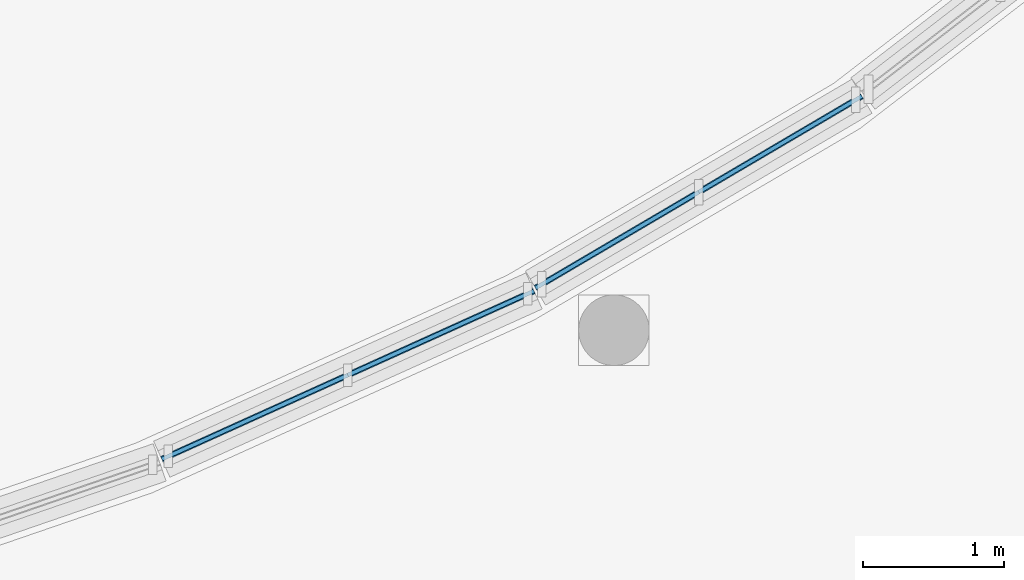
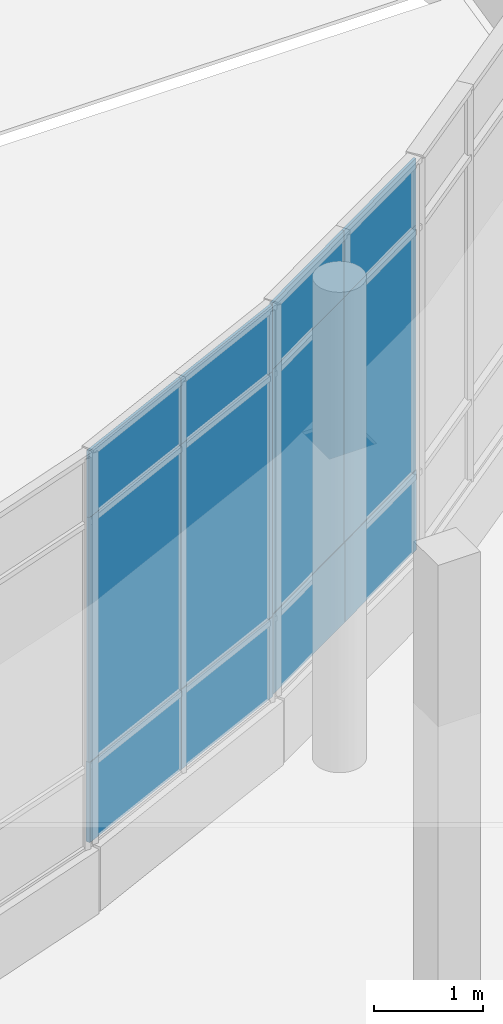
# One storey, part 31 of 84: 12 plates, 2 elements without a shape of their own.
"""IFC4 building model written with IfcOpenShell, lengths in metres."""

import ifcopenshell
import ifcopenshell.guid

model = None  # the IFC model being written
_history = None  # IfcOwnerHistory: only IFC2X3 demands one
_inside = {}  # id of a spatial element -> (the spatial element, [elements in it])
_under = {}  # id of a project, library or spatial element -> (it, [spatial elements below it])
_declared = {}  # id of a project -> (the project, [libraries it declares])
_typed = {}  # id of a type object -> (the type object, [elements of that type])
_made_of = {}  # id of a material, layer set ... -> (it, [elements and type objects made of it])


def new_model(schema):
    """Start an empty IFC model of exactly this schema.

    Asked for "IFC4X3", IfcOpenShell would pick the latest addendum, in which some entities
    have other attributes; the version numbers below select the first issue.
    IFC2X3 requires an IfcOwnerHistory on every rooted entity: one is made here for all.
    """
    global model, _history
    if schema == "IFC4X3":
        model = ifcopenshell.file(schema_version=(4, 3, 0, 0))
    else:
        model = ifcopenshell.file(schema=schema)
    _inside.clear()
    _under.clear()
    _declared.clear()
    _typed.clear()
    _made_of.clear()
    _history = None
    if model.schema == "IFC2X3":
        org = make("IfcOrganization", Name="unknown")
        user = make(
            "IfcPersonAndOrganization",
            ThePerson=make("IfcPerson", FamilyName="unknown"),
            TheOrganization=org,
        )
        app = make(
            "IfcApplication",
            ApplicationDeveloper=org,
            Version="unknown",
            ApplicationFullName="unknown",
            ApplicationIdentifier="unknown",
        )
        _history = make(
            "IfcOwnerHistory",
            OwningUser=user,
            OwningApplication=app,
            ChangeAction="ADDED",
            CreationDate=0,
        )
    return model


def make(cls, **values):
    """One entity of the class cls with the attributes given. An attribute that is None is left unset."""
    return model.create_entity(
        cls, **{name: value for name, value in values.items() if value is not None}
    )


def rooted(cls, **values):
    """An entity with a GlobalId (a new one), such as an element, a storey or a relation."""
    return make(cls, GlobalId=ifcopenshell.guid.new(), OwnerHistory=_history, **values)


def si_unit(unit_type, name, prefix=None):
    """IfcSIUnit, for example si_unit("LENGTHUNIT", "METRE", prefix="MILLI")."""
    return make("IfcSIUnit", UnitType=unit_type, Prefix=prefix, Name=name)


def assignment(units):
    """IfcUnitAssignment: the units of a project."""
    return None if units is None else make("IfcUnitAssignment", Units=units)


def point(xyz):
    """IfcCartesianPoint."""
    return None if xyz is None else make("IfcCartesianPoint", Coordinates=xyz)


def direction(xyz):
    """IfcDirection."""
    return None if xyz is None else make("IfcDirection", DirectionRatios=xyz)


def frame(location, z_axis=None, x_axis=None):
    """IfcAxis2Placement3D, a coordinate frame: its origin and axes. An axis left out is left unset."""
    return make(
        "IfcAxis2Placement3D",
        Location=point(location),
        Axis=direction(z_axis),
        RefDirection=direction(x_axis),
    )


def frame_2d(location, x_axis=None):
    """IfcAxis2Placement2D, a coordinate frame in the plane: its origin and x axis."""
    return make(
        "IfcAxis2Placement2D", Location=point(location), RefDirection=direction(x_axis)
    )


def origin():
    """The frame at (0, 0, 0) with its axes left unset."""
    return frame((0.0, 0.0, 0.0))


def origin_2d():
    """The frame at (0, 0) in the plane with its x axis left unset."""
    return frame_2d((0.0, 0.0))


def place(relative_to, where):
    """IfcLocalPlacement: puts the frame where relative to a parent placement (None: the world)."""
    return make(
        "IfcLocalPlacement", PlacementRelTo=relative_to, RelativePlacement=where
    )


def context(
    kind, dimensions, precision=None, world=None, true_north=None, identifier=None
):
    """IfcGeometricRepresentationContext, for example the 3D "Model" context."""
    return make(
        "IfcGeometricRepresentationContext",
        ContextIdentifier=identifier,
        ContextType=kind,
        CoordinateSpaceDimension=dimensions,
        Precision=precision,
        WorldCoordinateSystem=world,
        TrueNorth=true_north,
    )


def subcontext(parent, identifier, kind, view, scale=None):
    """IfcGeometricRepresentationSubContext, for example "Body" below "Model"."""
    return make(
        "IfcGeometricRepresentationSubContext",
        ContextIdentifier=identifier,
        ContextType=kind,
        ParentContext=parent,
        TargetScale=scale,
        TargetView=view,
    )


def project(units=None, contexts=None):
    """IfcProject with its units and contexts."""
    return rooted(
        "IfcProject",
        Name="project",
        RepresentationContexts=contexts,
        UnitsInContext=assignment(units),
    )


def spatial(cls, under=None, at=None, **own):
    """A site, building, storey or space (cls), placed at a placement, below another one or the project."""
    s = rooted(cls, ObjectPlacement=at, **own)
    if under is not None:
        _under.setdefault(under.id(), (under, []))[1].append(s)
    return s


def profile(cls, at=None, kind="AREA", **sizes):
    """A parametric profile (cls). Its sizes go by their IFC names, for example OverallWidth=200.0."""
    return make(cls, ProfileType=kind, Position=at, **sizes)


def rectangle(**sizes):
    """IfcRectangleProfileDef."""
    return profile("IfcRectangleProfileDef", **sizes)


def extrude(swept, where, along, depth):
    """IfcExtrudedAreaSolid: the profile swept, set in the frame where, extruded along a direction by depth."""
    return make(
        "IfcExtrudedAreaSolid",
        SweptArea=swept,
        Position=where,
        ExtrudedDirection=direction(along),
        Depth=depth,
    )


def shape(context_of_items, identifier, shape_type, items):
    """IfcShapeRepresentation: the items that make up one representation, for example the "Body"."""
    return make(
        "IfcShapeRepresentation",
        ContextOfItems=context_of_items,
        RepresentationIdentifier=identifier,
        RepresentationType=shape_type,
        Items=items,
    )


def material(Name=None, Category=None):
    """IfcMaterial."""
    return make("IfcMaterial", Name=Name, Category=Category)


def layer(
    of_material, thickness, ventilated=None, Name=None, Category=None, Priority=None
):
    """IfcMaterialLayer: one layer of a wall or slab, of a material (None: an air gap)."""
    return make(
        "IfcMaterialLayer",
        Material=of_material,
        LayerThickness=thickness,
        IsVentilated=ventilated,
        Name=Name,
        Category=Category,
        Priority=Priority,
    )


def layer_set(layers, Name=None):
    """IfcMaterialLayerSet."""
    return make("IfcMaterialLayerSet", MaterialLayers=layers, LayerSetName=Name)


def made_of(thing, what):
    """Note that an element or type object is made of a material, layer set ...; save() writes the relation."""
    if what is not None:
        _made_of.setdefault(what.id(), (what, []))[1].append(thing)
    return thing


def type_object(cls, material=None, **own):
    """A type object (cls), such as IfcWallType, which elements share."""
    return made_of(rooted(cls, **own), material)


def element(
    cls,
    number,
    at=None,
    inside=None,
    cuts=None,
    type_object=None,
    material=None,
    context=None,
    identifier="Body",
    shape_type=None,
    held_by="IfcProductDefinitionShape",
    body=None,
    shapes=None,
    **own,
):
    """One element of the class cls, such as IfcWall. Its Tag is "e" and its number.

    at: its placement. inside: the storey or other place that contains it. cuts: it is an
    opening in that element (IfcRelVoidsElement). A single representation is given by context,
    identifier, shape_type and body (its items); several are given by shapes. held_by: the class
    of the entity that holds the representations. save() writes the other relations.
    """
    e = rooted(cls, Tag="e%d" % number, ObjectPlacement=at, **own)
    if body is not None:
        shapes = [shape(context, identifier, shape_type, body)]
    if shapes is not None:
        e.Representation = make(held_by, Representations=shapes)
    if inside is not None:
        _inside.setdefault(inside.id(), (inside, []))[1].append(e)
    if cuts is not None:
        rooted(
            "IfcRelVoidsElement", RelatingBuildingElement=cuts, RelatedOpeningElement=e
        )
    if type_object is not None:
        _typed.setdefault(type_object.id(), (type_object, []))[1].append(e)
    return made_of(e, material)


def aggregate(whole, parts):
    """IfcRelAggregates: a whole, such as a stair, and the parts it consists of."""
    return rooted("IfcRelAggregates", RelatingObject=whole, RelatedObjects=parts)


def save(model, path):
    """Write the relations noted so far, then the file.

    IfcRelAggregates (storeys below a building ...), IfcRelContainedInSpatialStructure (elements
    in a storey), IfcRelDefinesByType, IfcRelAssociatesMaterial and IfcRelDeclares: one each for
    every whole, place, type object, material and project.
    """
    for whole, parts in _under.values():
        aggregate(whole, parts)
    for where, things in _inside.values():
        rooted(
            "IfcRelContainedInSpatialStructure",
            RelatedElements=things,
            RelatingStructure=where,
        )
    for kind, things in _typed.values():
        rooted("IfcRelDefinesByType", RelatedObjects=things, RelatingType=kind)
    for what, things in _made_of.values():
        rooted("IfcRelAssociatesMaterial", RelatedObjects=things, RelatingMaterial=what)
    for by, libraries in _declared.values():
        rooted("IfcRelDeclares", RelatingContext=by, RelatedDefinitions=libraries)
    model.write(path)


model = new_model("IFC4")

# Units and contexts
model_context = context("Model", 3, precision=1e-05, world=origin(), true_north=direction((0.0, 1.0)))
body_context = subcontext(model_context, "Body", "Model", "MODEL_VIEW")
ifc_project = project(units=[si_unit("LENGTHUNIT", "METRE"), si_unit("AREAUNIT", "SQUARE_METRE"), si_unit("VOLUMEUNIT", "CUBIC_METRE"), si_unit("PLANEANGLEUNIT", "RADIAN"), si_unit("MASSUNIT", "GRAM", prefix="KILO")], contexts=[model_context])

# Site, building, storey
site_placement = place(None, origin())
site = spatial("IfcSite", under=ifc_project, at=site_placement, CompositionType="ELEMENT")
building_placement = place(site_placement, origin())
building = spatial("IfcBuilding", under=site, at=building_placement, Name="Mzevani Central Library", CompositionType="ELEMENT")
storey_placement = place(building_placement, origin())
storey = spatial("IfcBuildingStorey", under=building, at=storey_placement, Name="L00", CompositionType="ELEMENT", Elevation=0.0)

# Curtain wall, plates
ifc_material_1 = material(Name="Thermally broken aluminium and Low-E triple glazing", Category="aluminium")
curtain_wall_type_1 = type_object("IfcCurtainWallType", Name="Elliptical Court Unitised Curtain Wall", PredefinedType="NOTDEFINED", material=ifc_material_1)
curtain_wall_1_placement = place(storey_placement, origin())
curtain_wall_1 = element("IfcCurtainWall", 1, at=curtain_wall_1_placement, inside=storey, type_object=curtain_wall_type_1, Name="L00 Elliptical Court Curtain Wall 42", PredefinedType="NOTDEFINED")
ifc_material_2 = material(Name="Thermally broken aluminium AW-6060", Category="aluminium")
ifc_layer_1 = layer(ifc_material_2, 0.0419921875, Name="CW Insulated Spandrel Panel 42")
ifc_layer_set_1 = layer_set([ifc_layer_1], Name="Thermally broken aluminium AW-6060")
plate_type_1 = type_object("IfcPlateType", Name="CW Insulated Spandrel Panel 42", PredefinedType="CURTAIN_PANEL", material=ifc_layer_set_1)
plate_1_placement = place(storey_placement, frame((101.163330078125, 65.228271484375, 0.719970703125), z_axis=(0.0, 0.0, 1.0), x_axis=(0.911237291888, 0.411881776573, 0.0)))
plate_1 = element("IfcPlate", 2, at=plate_1_placement, type_object=plate_type_1, Name="L00 Elliptical Court Curtain Wall 42 Spandrel Panel 1", PredefinedType="CURTAIN_PANEL", context=body_context, shape_type="SweptSolid", body=[
    extrude(rectangle(XDim=1.4462890625, YDim=0.0419921875, at=origin_2d()), origin(), (0.0, 0.0, 1.0), 0.89990234375),
])
plate_2_placement = place(storey_placement, frame((102.481201171875, 65.823974609375, 0.719970703125), z_axis=(0.0, 0.0, 1.0), x_axis=(0.911237291888, 0.411881776573, 0.0)))
plate_2 = element("IfcPlate", 3, at=plate_2_placement, type_object=plate_type_1, Name="L00 Elliptical Court Curtain Wall 42 Spandrel Panel 4", PredefinedType="CURTAIN_PANEL", context=body_context, shape_type="SweptSolid", body=[
    extrude(rectangle(XDim=1.4462890625, YDim=0.0419921875, at=origin_2d()), origin(), (0.0, 0.0, 1.0), 0.89990234375),
])

curtain_wall_type_2 = type_object("IfcCurtainWallType", Name="Reading Hall Northlight Curtain Wall", PredefinedType="NOTDEFINED", material=ifc_material_1)
curtain_wall_2_placement = place(storey_placement, origin())
curtain_wall_2 = element("IfcCurtainWall", 4, at=curtain_wall_2_placement, inside=storey, type_object=curtain_wall_type_2, Name="L00 Elliptical Court Curtain Wall 43", PredefinedType="NOTDEFINED")
plate_3_placement = place(storey_placement, frame((103.728759765625, 66.482177734375, 0.719970703125), z_axis=(0.0, 0.0, 1.0), x_axis=(0.862137189544, 0.506674911956, 0.0)))
plate_3 = element("IfcPlate", 5, at=plate_3_placement, type_object=plate_type_1, Name="L00 Elliptical Court Curtain Wall 43 Spandrel Panel 1", PredefinedType="CURTAIN_PANEL", context=body_context, shape_type="SweptSolid", body=[
    extrude(rectangle(XDim=1.340576171875, YDim=0.0419921875, at=origin_2d()), origin(), (0.0, 0.0, 1.0), 0.89990234375),
])
plate_4_placement = place(storey_placement, frame((104.884521484375, 67.161376953125, 0.719970703125), z_axis=(0.0, 0.0, 1.0), x_axis=(0.862137189544, 0.506674911956, 0.0)))
plate_4 = element("IfcPlate", 6, at=plate_4_placement, type_object=plate_type_1, Name="L00 Elliptical Court Curtain Wall 43 Spandrel Panel 4", PredefinedType="CURTAIN_PANEL", context=body_context, shape_type="SweptSolid", body=[
    extrude(rectangle(XDim=1.340576171875, YDim=0.0419921875, at=origin_2d()), origin(), (0.0, 0.0, 1.0), 0.89990234375),
])

# Plate
ifc_material_3 = material(Name="Low-E triple glazing glass", Category="glass")
ifc_layer_2 = layer(ifc_material_3, 0.028076171875, Name="CW Triple Glazed Vision Panel 28")
ifc_layer_set_2 = layer_set([ifc_layer_2], Name="Low-E triple glazing glass")
plate_type_2 = type_object("IfcPlateType", Name="CW Triple Glazed Vision Panel 28", PredefinedType="CURTAIN_PANEL", material=ifc_layer_set_2)
plate_5_placement = place(storey_placement, frame((101.163330078125, 65.228271484375, 1.6201171875), z_axis=(0.0, 0.0, 1.0), x_axis=(0.911237291888, 0.411881776573, 0.0)))
plate_5 = element("IfcPlate", 7, at=plate_5_placement, type_object=plate_type_2, Name="L00 Elliptical Court Curtain Wall 42 Vision Panel 2", PredefinedType="CURTAIN_PANEL", context=body_context, shape_type="SweptSolid", body=[
    extrude(rectangle(XDim=1.4462890625, YDim=0.028076171875, at=origin_2d()), origin(), (0.0, 0.0, 1.0), 2.75),
])

plate_6_placement = place(storey_placement, frame((101.163330078125, 65.228271484375, 4.3701171875), z_axis=(0.0, 0.0, 1.0), x_axis=(0.911237291888, 0.411881776573, 0.0)))
plate_6 = element("IfcPlate", 8, at=plate_6_placement, type_object=plate_type_2, Name="L00 Elliptical Court Curtain Wall 42 Vision Panel 3", PredefinedType="CURTAIN_PANEL", context=body_context, shape_type="SweptSolid", body=[
    extrude(rectangle(XDim=1.4462890625, YDim=0.028076171875, at=origin_2d()), origin(), (0.0, 0.0, 1.0), 0.75),
])

plate_7_placement = place(storey_placement, frame((102.481201171875, 65.823974609375, 1.6201171875), z_axis=(0.0, 0.0, 1.0), x_axis=(0.911237291888, 0.411881776573, 0.0)))
plate_7 = element("IfcPlate", 9, at=plate_7_placement, type_object=plate_type_2, Name="L00 Elliptical Court Curtain Wall 42 Vision Panel 5", PredefinedType="CURTAIN_PANEL", context=body_context, shape_type="SweptSolid", body=[
    extrude(rectangle(XDim=1.4462890625, YDim=0.028076171875, at=origin_2d()), origin(), (0.0, 0.0, 1.0), 2.75),
])

plate_8_placement = place(storey_placement, frame((102.481201171875, 65.823974609375, 4.3701171875), z_axis=(0.0, 0.0, 1.0), x_axis=(0.911237291888, 0.411881776573, 0.0)))
plate_8 = element("IfcPlate", 10, at=plate_8_placement, type_object=plate_type_2, Name="L00 Elliptical Court Curtain Wall 42 Vision Panel 6", PredefinedType="CURTAIN_PANEL", context=body_context, shape_type="SweptSolid", body=[
    extrude(rectangle(XDim=1.4462890625, YDim=0.028076171875, at=origin_2d()), origin(), (0.0, 0.0, 1.0), 0.75),
])

aggregate(curtain_wall_1, [plate_1, plate_5, plate_6, plate_2, plate_7, plate_8])

plate_9_placement = place(storey_placement, frame((103.728759765625, 66.482177734375, 1.6201171875), z_axis=(0.0, 0.0, 1.0), x_axis=(0.862137189544, 0.506674911956, 0.0)))
plate_9 = element("IfcPlate", 11, at=plate_9_placement, type_object=plate_type_2, Name="L00 Elliptical Court Curtain Wall 43 Vision Panel 2", PredefinedType="CURTAIN_PANEL", context=body_context, shape_type="SweptSolid", body=[
    extrude(rectangle(XDim=1.340576171875, YDim=0.028076171875, at=origin_2d()), origin(), (0.0, 0.0, 1.0), 2.75),
])

plate_10_placement = place(storey_placement, frame((103.728759765625, 66.482177734375, 4.3701171875), z_axis=(0.0, 0.0, 1.0), x_axis=(0.862137189544, 0.506674911956, 0.0)))
plate_10 = element("IfcPlate", 12, at=plate_10_placement, type_object=plate_type_2, Name="L00 Elliptical Court Curtain Wall 43 Vision Panel 3", PredefinedType="CURTAIN_PANEL", context=body_context, shape_type="SweptSolid", body=[
    extrude(rectangle(XDim=1.340576171875, YDim=0.028076171875, at=origin_2d()), origin(), (0.0, 0.0, 1.0), 0.75),
])

plate_11_placement = place(storey_placement, frame((104.884521484375, 67.161376953125, 1.6201171875), z_axis=(0.0, 0.0, 1.0), x_axis=(0.862137189544, 0.506674911956, 0.0)))
plate_11 = element("IfcPlate", 13, at=plate_11_placement, type_object=plate_type_2, Name="L00 Elliptical Court Curtain Wall 43 Vision Panel 5", PredefinedType="CURTAIN_PANEL", context=body_context, shape_type="SweptSolid", body=[
    extrude(rectangle(XDim=1.340576171875, YDim=0.028076171875, at=origin_2d()), origin(), (0.0, 0.0, 1.0), 2.75),
])

plate_12_placement = place(storey_placement, frame((104.884521484375, 67.161376953125, 4.3701171875), z_axis=(0.0, 0.0, 1.0), x_axis=(0.862137189544, 0.506674911956, 0.0)))
plate_12 = element("IfcPlate", 14, at=plate_12_placement, type_object=plate_type_2, Name="L00 Elliptical Court Curtain Wall 43 Vision Panel 6", PredefinedType="CURTAIN_PANEL", context=body_context, shape_type="SweptSolid", body=[
    extrude(rectangle(XDim=1.340576171875, YDim=0.028076171875, at=origin_2d()), origin(), (0.0, 0.0, 1.0), 0.75),
])

aggregate(curtain_wall_2, [plate_3, plate_9, plate_10, plate_4, plate_11, plate_12])

save(model, "model.ifc")
